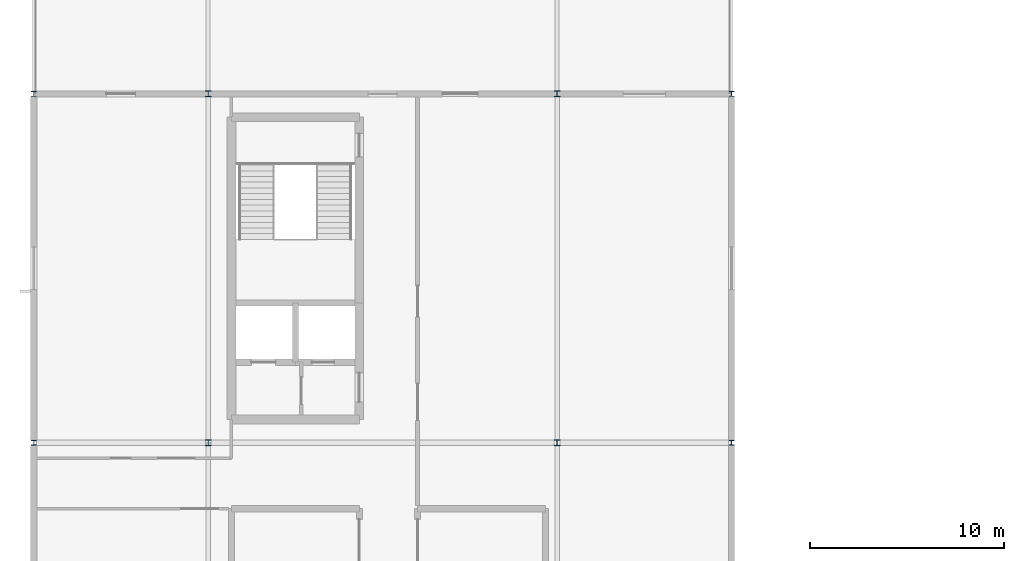
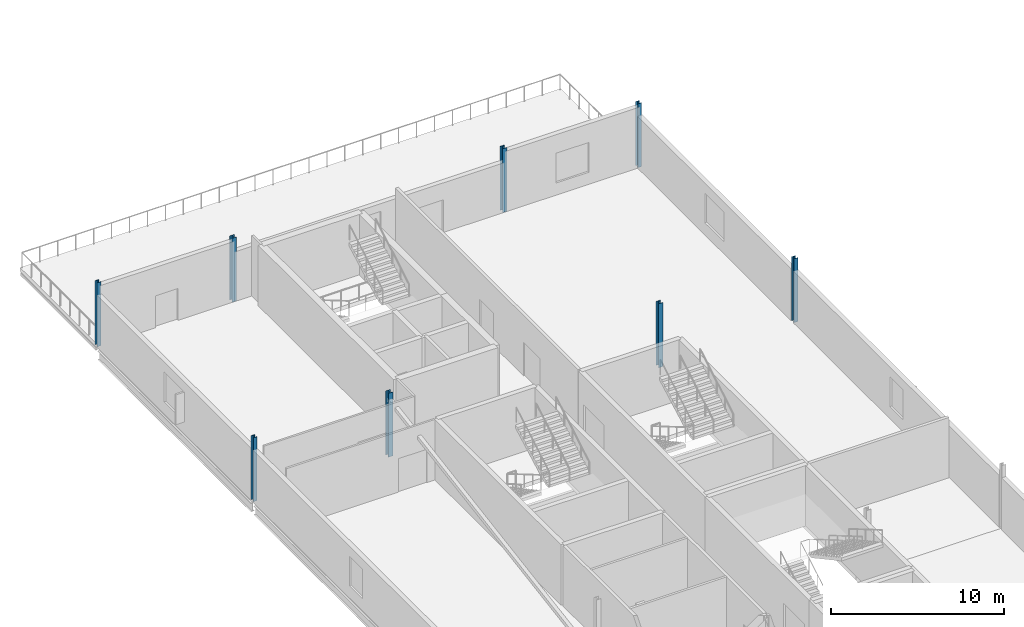
# One storey, part 3 of 28: 8 columns.
"""IFC4 building model written with IfcOpenShell, lengths in metres."""

from ifc_helpers import new_model, si_unit, direction, frame, origin, origin_2d, place, context, subcontext, project, spatial, i_section, extrude, material, material_profile, profile_set, type_object, element, save


model = new_model("IFC4")

# Units and contexts
model_context = context("Model", 3, precision=1e-05, world=origin(), true_north=direction((0.0, 1.0)))
body_context = subcontext(model_context, "Body", "Model", "MODEL_VIEW")
ifc_project = project(units=[si_unit("LENGTHUNIT", "METRE"), si_unit("AREAUNIT", "SQUARE_METRE"), si_unit("VOLUMEUNIT", "CUBIC_METRE"), si_unit("PLANEANGLEUNIT", "RADIAN"), si_unit("MASSUNIT", "GRAM", prefix="KILO")], contexts=[model_context])

# Site, building, storey
site_placement = place(None, origin())
site = spatial("IfcSite", under=ifc_project, at=site_placement, CompositionType="ELEMENT")
building_placement = place(site_placement, origin())
building = spatial("IfcBuilding", under=site, at=building_placement, Name="Kisiwana Market Hall", CompositionType="ELEMENT")
storey_placement = place(building_placement, frame((0.0, 0.0, 49.5)))
storey = spatial("IfcBuildingStorey", under=building, at=storey_placement, Name="L11", CompositionType="ELEMENT", Elevation=49.5)

# Columns
ifc_material_1 = material(Name="Steel S355", Category="steel")
ifc_material_profile_1 = material_profile(ifc_material_1, i_section(OverallWidth=0.300048828125, OverallDepth=0.300048828125, WebThickness=0.010986328125, FlangeThickness=0.01904296875, FilletRadius=0.027099609375, at=origin_2d()), Name="HEB 300")
ifc_profile_set_1 = profile_set([ifc_material_profile_1], Name="Steel S355")
column_type_1 = type_object("IfcColumnType", Name="COL-STL-HEB300", PredefinedType="COLUMN", material=ifc_profile_set_1)
for number, where, z_axis, x_axis, name in (
    (1, (9.0, 84.0, 0.0), (0.0, 0.0, 1.0), (1.0, 0.0, 0.0), "Column L/2 (L11) C-1329"),
    (2, (9.0, 102.0, 0.0), (0.0, 0.0, 1.0), (1.0, 0.0, 0.0), "Column N/2 (L11) C-1330"),
    (3, (27.0, 84.0, 0.0), (0.0, 0.0, 1.0), (1.0, 0.0, 0.0), "Column L/4 (L11) C-1334"),
    (4, (27.0, 102.0, 0.0), (0.0, 0.0, 1.0), (1.0, 0.0, 0.0), "Column N/4 (L11) C-1335"),
):
    element("IfcColumn", number, at=place(storey_placement, frame(where, z_axis=z_axis, x_axis=x_axis)), inside=storey, type_object=column_type_1, Name=name, PredefinedType="COLUMN", context=body_context, shape_type="SweptSolid", body=[
        extrude(i_section(OverallWidth=0.300048828125, OverallDepth=0.300048828125, WebThickness=0.010986328125, FlangeThickness=0.01904296875, FilletRadius=0.027099609375, at=origin_2d()), origin(), (0.0, 0.0, 1.0), 4.5),
    ])
ifc_material_2 = material(Name="Steel S355", Category="steel")
ifc_material_profile_2 = material_profile(ifc_material_2, i_section(OverallWidth=0.2587890625, OverallDepth=0.2666015625, WebThickness=0.0126953125, FlangeThickness=0.0205078125, at=origin_2d()), Name="UC 254x254x107")
ifc_profile_set_2 = profile_set([ifc_material_profile_2], Name="Steel S355")
column_type_2 = type_object("IfcColumnType", Name="COL-STL-UC107", PredefinedType="COLUMN", material=ifc_profile_set_2)
for number, where, z_axis, x_axis, name in (
    (5, (0.0, 84.0, 0.0), (0.0, 0.0, 1.0), (1.0, 0.0, 0.0), "Column L/1 (L11) C-1325"),
    (6, (0.0, 102.0, 0.0), (0.0, 0.0, 1.0), (1.0, 0.0, 0.0), "Column N/1 (L11) C-1326"),
    (7, (36.0, 84.0, 0.0), (0.0, 0.0, 1.0), (1.0, 0.0, 0.0), "Column L/5 (L11) C-1338"),
    (8, (36.0, 102.0, 0.0), (0.0, 0.0, 1.0), (1.0, 0.0, 0.0), "Column N/5 (L11) C-1339"),
):
    element("IfcColumn", number, at=place(storey_placement, frame(where, z_axis=z_axis, x_axis=x_axis)), inside=storey, type_object=column_type_2, Name=name, PredefinedType="COLUMN", context=body_context, shape_type="SweptSolid", body=[
        extrude(i_section(OverallWidth=0.2587890625, OverallDepth=0.2666015625, WebThickness=0.0126953125, FlangeThickness=0.0205078125, at=origin_2d()), origin(), (0.0, 0.0, 1.0), 4.5),
    ])

save(model, "model.ifc")
